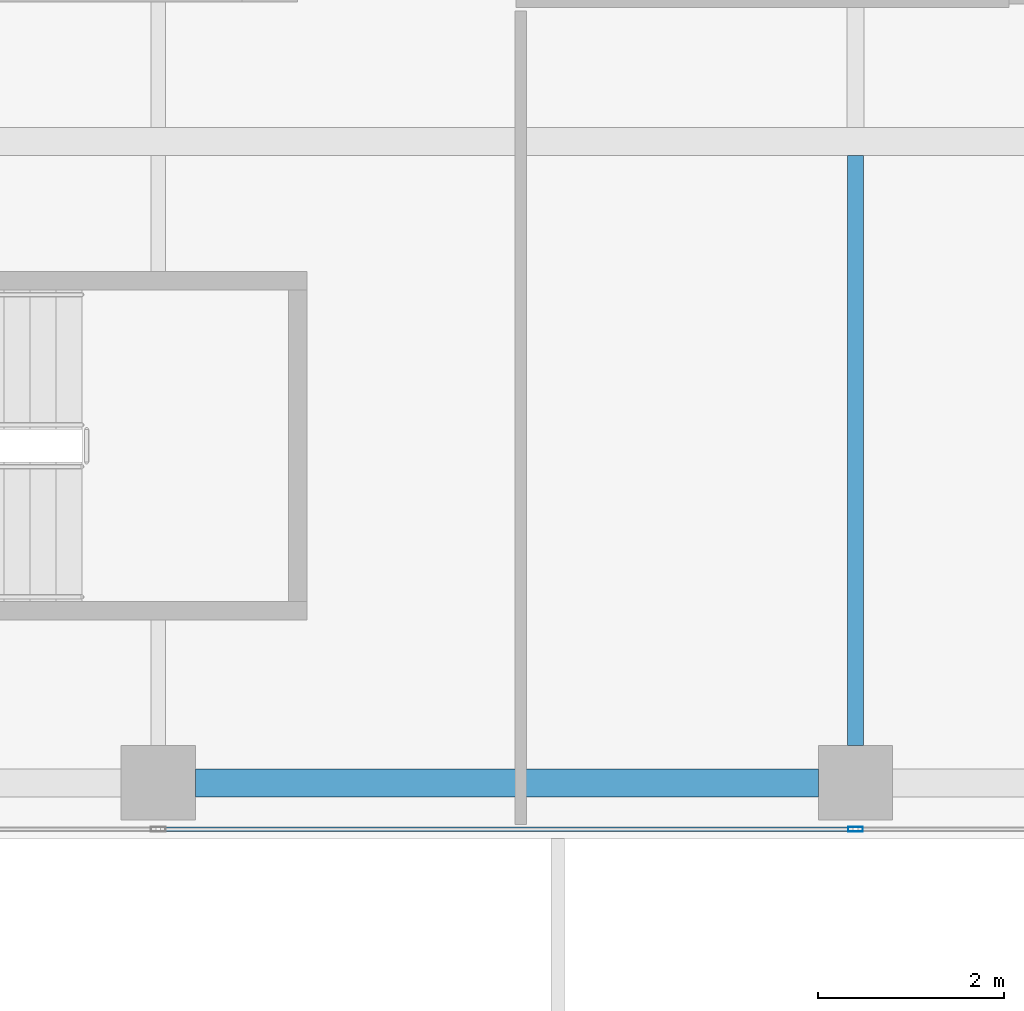
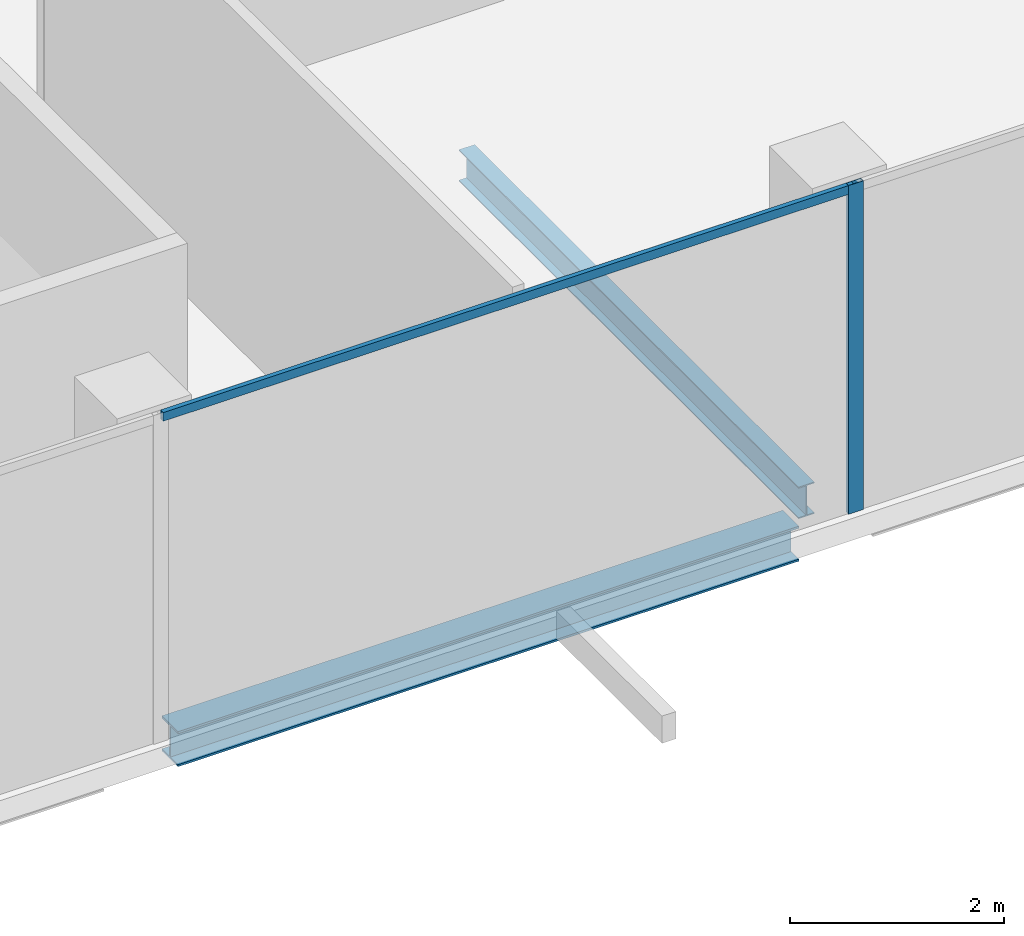
# One storey, part 5 of 28: 2 beams, 2 members, 1 element without a shape of its own.
"""IFC4 building model written with IfcOpenShell, lengths in metres."""

from ifc_helpers import new_model, si_unit, direction, frame, origin, origin_2d, place, context, subcontext, project, spatial, hollow_rectangle, i_section, extrude, source, transform, mapped, material, material_profile, profile_set, type_object, element, aggregate, save


model = new_model("IFC4")

# Units and contexts
model_context = context("Model", 3, precision=1e-05, world=origin(), true_north=direction((0.0, 1.0)))
body_context = subcontext(model_context, "Body", "Model", "MODEL_VIEW")
ifc_project = project(units=[si_unit("LENGTHUNIT", "METRE"), si_unit("AREAUNIT", "SQUARE_METRE"), si_unit("VOLUMEUNIT", "CUBIC_METRE"), si_unit("PLANEANGLEUNIT", "RADIAN"), si_unit("MASSUNIT", "GRAM", prefix="KILO")], contexts=[model_context])

# Site, building, storey
site_placement = place(None, origin())
site = spatial("IfcSite", under=ifc_project, at=site_placement, CompositionType="ELEMENT")
building_placement = place(site_placement, origin())
building = spatial("IfcBuilding", under=site, at=building_placement, Name="Khomas Fold Tower", CompositionType="ELEMENT")
storey_placement = place(building_placement, frame((0.0, 0.0, 302.199951171875)))
storey = spatial("IfcBuildingStorey", under=building, at=storey_placement, Name="L68", CompositionType="ELEMENT", Elevation=302.199951171875)

# Beams
ifc_material_1 = material(Name="Steel S355", Category="steel")
ifc_material_profile_1 = material_profile(ifc_material_1, i_section(OverallWidth=0.300048828125, OverallDepth=0.39990234375, WebThickness=0.013427734375, FlangeThickness=0.02392578125, at=origin_2d()), Name="HE 400 B")
ifc_profile_set_1 = profile_set([ifc_material_profile_1], Name="Steel S355")
beam_type_1 = type_object("IfcBeamType", Name="HE 400 B spandrel SB5", PredefinedType="SPANDREL", material=ifc_profile_set_1)
shared_shape_1 = source(origin(), body_context, "Body", "SweptSolid", [
    extrude(i_section(OverallWidth=0.300048828125, OverallDepth=0.39990234375, WebThickness=0.013427734375, FlangeThickness=0.02392578125, at=origin_2d()), origin(), (0.0, 0.0, 1.0), 6.7001953125),
])
beam_1_placement = place(storey_placement, frame((19.89990234375, 6.60009765625, -0.449951171875), z_axis=(1.0, 0.0, 0.0), x_axis=(0.0, 1.0, 0.0)))
element("IfcBeam", 1, at=beam_1_placement, inside=storey, type_object=beam_type_1, Name="SB5", PredefinedType="SPANDREL", context=body_context, shape_type="MappedRepresentation", body=[
    mapped(shared_shape_1, transform((0.0, 0.0, 0.0))),
])
ifc_material_2 = material(Name="Steel S355", Category="steel")
ifc_material_profile_2 = material_profile(ifc_material_2, i_section(OverallWidth=0.169921875, OverallDepth=0.360107421875, WebThickness=0.008056640625, FlangeThickness=0.0126953125, at=origin_2d()), Name="IPE 360")
ifc_profile_set_2 = profile_set([ifc_material_profile_2], Name="Steel S355")
beam_type_2 = type_object("IfcBeamType", Name="IPE 360 beam JB2", PredefinedType="BEAM", material=ifc_profile_set_2)
shared_shape_2 = source(origin(), body_context, "Body", "SweptSolid", [
    extrude(i_section(OverallWidth=0.169921875, OverallDepth=0.360107421875, WebThickness=0.008056640625, FlangeThickness=0.0126953125, at=origin_2d()), origin(), (0.0, 0.0, 1.0), 6.35009765625),
])
beam_2_placement = place(storey_placement, frame((27.0, 7.0, -0.429931640625), z_axis=(0.0, 1.0, 0.0), x_axis=(-1.0, 0.0, 0.0)))
element("IfcBeam", 2, at=beam_2_placement, inside=storey, type_object=beam_type_2, Name="JB2", PredefinedType="BEAM", context=body_context, shape_type="MappedRepresentation", body=[
    mapped(shared_shape_2, transform((0.0, 0.0, 0.0))),
])

# Curtain wall, members
ifc_material_3 = material(Name="Aluminium framed double glazing", Category="aluminium")
curtain_wall_type = type_object("IfcCurtainWallType", Name="SK-Unitised clear-glass wall, upper floors CW3", PredefinedType="NOTDEFINED", material=ifc_material_3)
curtain_wall_placement = place(storey_placement, origin())
curtain_wall = element("IfcCurtainWall", 3, at=curtain_wall_placement, inside=storey, type_object=curtain_wall_type, Name="CW3 run L68 00-0", PredefinedType="NOTDEFINED")
ifc_material_4 = material(Name="Aluminium", Category="aluminium")
ifc_material_profile_3 = material_profile(ifc_material_4, hollow_rectangle(XDim=0.050048828125, YDim=0.159912109375, WallThickness=0.00390625, at=origin_2d()), Name="SK-Unitised clear-glass wall, upper floors mullion CW3-M")
ifc_profile_set_3 = profile_set([ifc_material_profile_3], Name="Aluminium")
member_type_1 = type_object("IfcMemberType", Name="SK-Unitised clear-glass wall, upper floors mullion CW3-M", PredefinedType="MULLION", material=ifc_profile_set_3)
shared_shape_3 = source(origin(), body_context, "Body", "SweptSolid", [
    extrude(hollow_rectangle(XDim=0.050048828125, YDim=0.159912109375, WallThickness=0.00390625, at=origin_2d()), origin(), (0.0, 0.0, 1.0), 3.75),
])
member_1_placement = place(storey_placement, frame((27.0, 6.10009765625, 0.0), z_axis=(0.0, 0.0, 1.0), x_axis=(0.0, 1.0, 0.0)))
member_1 = element("IfcMember", 4, at=member_1_placement, type_object=member_type_1, Name="CW3 mullion 4", PredefinedType="MULLION", context=body_context, shape_type="MappedRepresentation", body=[
    mapped(shared_shape_3, transform((0.0, 0.0, 0.0))),
])
ifc_material_5 = material(Name="Aluminium", Category="aluminium")
ifc_material_profile_4 = material_profile(ifc_material_5, hollow_rectangle(XDim=0.050048828125, YDim=0.10009765625, WallThickness=0.00390625, at=origin_2d()), Name="SK-Unitised clear-glass wall, upper floors transom CW3-T")
ifc_profile_set_4 = profile_set([ifc_material_profile_4], Name="Aluminium")
member_type_2 = type_object("IfcMemberType", Name="SK-Unitised clear-glass wall, upper floors transom CW3-T", PredefinedType="USERDEFINED", material=ifc_profile_set_4)
shared_shape_4 = source(origin(), body_context, "Body", "SweptSolid", [
    extrude(hollow_rectangle(XDim=0.050048828125, YDim=0.10009765625, WallThickness=0.00390625, at=origin_2d()), origin(), (0.0, 0.0, 1.0), 7.4501953125),
])
member_2_placement = place(storey_placement, frame((19.52490234375, 6.10009765625, 3.699951171875), z_axis=(1.0, 0.0, 0.0), x_axis=(0.0, 1.0, 0.0)))
member_2 = element("IfcMember", 5, at=member_2_placement, type_object=member_type_2, Name="CW3 transom 3", ObjectType="TRANSOM", PredefinedType="USERDEFINED", context=body_context, shape_type="MappedRepresentation", body=[
    mapped(shared_shape_4, transform((0.0, 0.0, 0.0))),
])
aggregate(curtain_wall, [member_1, member_2])

save(model, "model.ifc")
